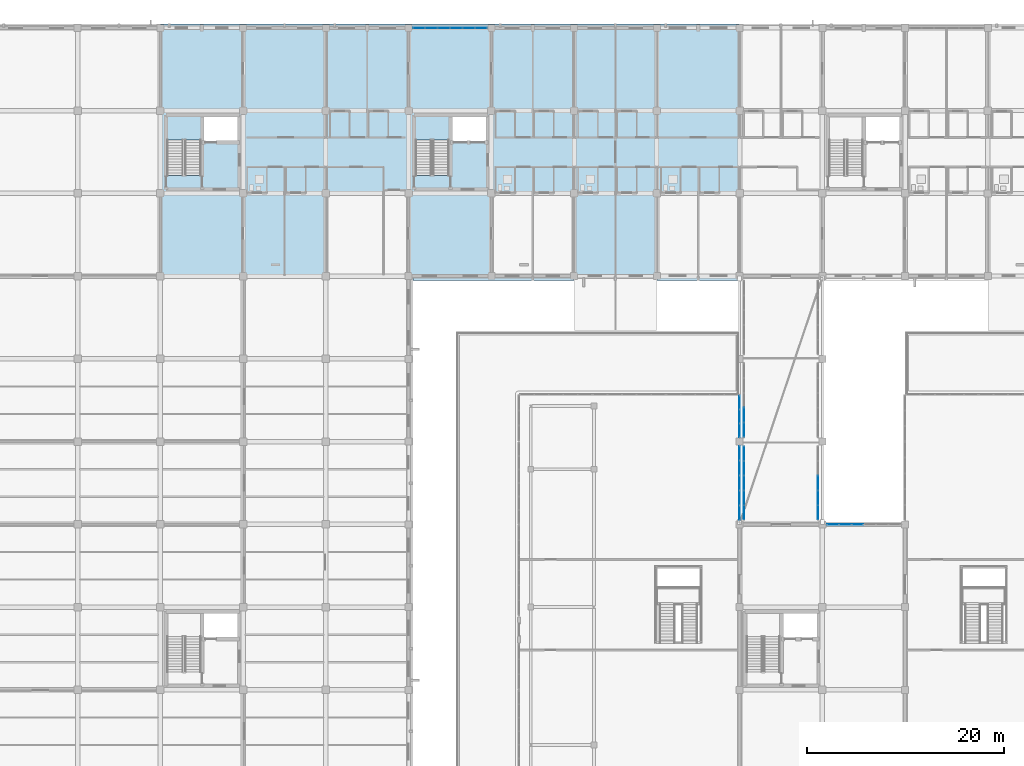
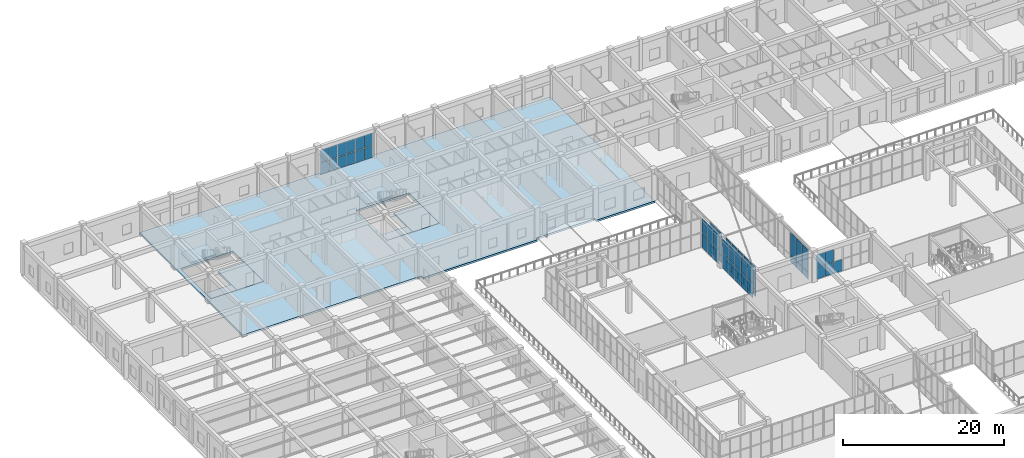
# One storey, part 107 of 158: 53 plates, 7 slabs, 9 elements without a shape of their own.
"""IFC4 building model written with IfcOpenShell, lengths in metres."""

from ifc_helpers import new_model, si_unit, direction, frame, origin, origin_2d, place, context, subcontext, project, spatial, polyline, rectangle, outline, extrude, material, layer, layer_set, type_object, element, aggregate, save


model = new_model("IFC4")

# Units and contexts
model_context = context("Model", 3, precision=1e-05, world=origin(), true_north=direction((0.0, 1.0)))
body_context = subcontext(model_context, "Body", "Model", "MODEL_VIEW")
ifc_project = project(units=[si_unit("LENGTHUNIT", "METRE"), si_unit("AREAUNIT", "SQUARE_METRE"), si_unit("VOLUMEUNIT", "CUBIC_METRE"), si_unit("PLANEANGLEUNIT", "RADIAN"), si_unit("MASSUNIT", "GRAM", prefix="KILO")], contexts=[model_context])

# Site, building, storey
site_placement = place(None, origin())
site = spatial("IfcSite", under=ifc_project, at=site_placement, CompositionType="ELEMENT")
building_placement = place(site_placement, origin())
building = spatial("IfcBuilding", under=site, at=building_placement, Name="Trelvath General Hospital", CompositionType="ELEMENT")
storey_placement = place(building_placement, frame((0.0, 0.0, 8.10009765625)))
storey = spatial("IfcBuildingStorey", under=building, at=storey_placement, Name="L02", CompositionType="ELEMENT", Elevation=8.10009765625)

# Curtain wall, plates
ifc_material_1 = material(Name="Anodised aluminium and low-E glass", Category="aluminium")
ifc_layer_1 = layer(ifc_material_1, 0.159912109375)
ifc_layer_set_1 = layer_set([ifc_layer_1], Name="Anodised aluminium and low-E glass")
curtain_wall_type_1 = type_object("IfcCurtainWallType", Name="CW Facade 757 386 16", PredefinedType="USERDEFINED", material=ifc_layer_set_1)
curtain_wall_1_placement = place(storey_placement, origin())
curtain_wall_1 = element("IfcCurtainWall", 1, at=curtain_wall_1_placement, inside=storey, type_object=curtain_wall_type_1, Name="Facade Curtain Wall CW-041", ObjectType="Unitised Glazed Curtain Wall", PredefinedType="USERDEFINED")
ifc_material_2 = material(Name="Low-E laminated glass", Category="glass")
ifc_layer_2 = layer(ifc_material_2, 0.028076171875)
ifc_layer_set_2 = layer_set([ifc_layer_2], Name="Low-E laminated glass")
plate_type_1 = type_object("IfcPlateType", Name="CurtainPanel Glass28", PredefinedType="CURTAIN_PANEL", material=ifc_layer_set_2)
plate_1_placement = place(storey_placement, frame((43.060791015625, 117.60009765625, 0.06005859375), z_axis=(0.0, 0.0, 1.0), x_axis=(1.0, 0.0, 0.0)))
plate_1 = element("IfcPlate", 2, at=plate_1_placement, type_object=plate_type_1, Name="CW-041 panel 1.1", PredefinedType="CURTAIN_PANEL", context=body_context, shape_type="SweptSolid", body=[
    extrude(rectangle(XDim=1.171630859375, YDim=0.028076171875, at=origin_2d()), origin(), (0.0, 0.0, 1.0), 1.762939453125),
])
plate_2_placement = place(storey_placement, frame((43.060791015625, 117.60009765625, 1.8828125), z_axis=(0.0, 0.0, 1.0), x_axis=(1.0, 0.0, 0.0)))
plate_2 = element("IfcPlate", 3, at=plate_2_placement, type_object=plate_type_1, Name="CW-041 panel 1.2", PredefinedType="CURTAIN_PANEL", context=body_context, shape_type="SweptSolid", body=[
    extrude(rectangle(XDim=1.171630859375, YDim=0.028076171875, at=origin_2d()), origin(), (0.0, 0.0, 1.0), 1.9169921875),
])
plate_3_placement = place(storey_placement, frame((44.3076171875, 117.60009765625, 0.06005859375), z_axis=(0.0, 0.0, 1.0), x_axis=(1.0, 0.0, 0.0)))
plate_3 = element("IfcPlate", 4, at=plate_3_placement, type_object=plate_type_1, Name="CW-041 panel 2.1", PredefinedType="CURTAIN_PANEL", context=body_context, shape_type="SweptSolid", body=[
    extrude(rectangle(XDim=1.20166015625, YDim=0.028076171875, at=origin_2d()), origin(), (0.0, 0.0, 1.0), 1.762939453125),
])
plate_4_placement = place(storey_placement, frame((44.3076171875, 117.60009765625, 1.8828125), z_axis=(0.0, 0.0, 1.0), x_axis=(1.0, 0.0, 0.0)))
plate_4 = element("IfcPlate", 5, at=plate_4_placement, type_object=plate_type_1, Name="CW-041 panel 2.2", PredefinedType="CURTAIN_PANEL", context=body_context, shape_type="SweptSolid", body=[
    extrude(rectangle(XDim=1.20166015625, YDim=0.028076171875, at=origin_2d()), origin(), (0.0, 0.0, 1.0), 1.9169921875),
])
plate_5_placement = place(storey_placement, frame((45.569091796875, 117.60009765625, 0.06005859375), z_axis=(0.0, 0.0, 1.0), x_axis=(1.0, 0.0, 0.0)))
plate_5 = element("IfcPlate", 6, at=plate_5_placement, type_object=plate_type_1, Name="CW-041 panel 3.1", PredefinedType="CURTAIN_PANEL", context=body_context, shape_type="SweptSolid", body=[
    extrude(rectangle(XDim=1.20166015625, YDim=0.028076171875, at=origin_2d()), origin(), (0.0, 0.0, 1.0), 1.762939453125),
])
plate_6_placement = place(storey_placement, frame((45.569091796875, 117.60009765625, 1.8828125), z_axis=(0.0, 0.0, 1.0), x_axis=(1.0, 0.0, 0.0)))
plate_6 = element("IfcPlate", 7, at=plate_6_placement, type_object=plate_type_1, Name="CW-041 panel 3.2", PredefinedType="CURTAIN_PANEL", context=body_context, shape_type="SweptSolid", body=[
    extrude(rectangle(XDim=1.20166015625, YDim=0.028076171875, at=origin_2d()), origin(), (0.0, 0.0, 1.0), 1.9169921875),
])
plate_7_placement = place(storey_placement, frame((46.830810546875, 117.60009765625, 0.06005859375), z_axis=(0.0, 0.0, 1.0), x_axis=(1.0, 0.0, 0.0)))
plate_7 = element("IfcPlate", 8, at=plate_7_placement, type_object=plate_type_1, Name="CW-041 panel 4.1", PredefinedType="CURTAIN_PANEL", context=body_context, shape_type="SweptSolid", body=[
    extrude(rectangle(XDim=1.20166015625, YDim=0.028076171875, at=origin_2d()), origin(), (0.0, 0.0, 1.0), 1.762939453125),
])
plate_8_placement = place(storey_placement, frame((46.830810546875, 117.60009765625, 1.8828125), z_axis=(0.0, 0.0, 1.0), x_axis=(1.0, 0.0, 0.0)))
plate_8 = element("IfcPlate", 9, at=plate_8_placement, type_object=plate_type_1, Name="CW-041 panel 4.2", PredefinedType="CURTAIN_PANEL", context=body_context, shape_type="SweptSolid", body=[
    extrude(rectangle(XDim=1.20166015625, YDim=0.028076171875, at=origin_2d()), origin(), (0.0, 0.0, 1.0), 1.9169921875),
])
plate_9_placement = place(storey_placement, frame((48.092529296875, 117.60009765625, 0.06005859375), z_axis=(0.0, 0.0, 1.0), x_axis=(1.0, 0.0, 0.0)))
plate_9 = element("IfcPlate", 10, at=plate_9_placement, type_object=plate_type_1, Name="CW-041 panel 5.1", PredefinedType="CURTAIN_PANEL", context=body_context, shape_type="SweptSolid", body=[
    extrude(rectangle(XDim=1.20166015625, YDim=0.028076171875, at=origin_2d()), origin(), (0.0, 0.0, 1.0), 1.762939453125),
])
plate_10_placement = place(storey_placement, frame((48.092529296875, 117.60009765625, 1.8828125), z_axis=(0.0, 0.0, 1.0), x_axis=(1.0, 0.0, 0.0)))
plate_10 = element("IfcPlate", 11, at=plate_10_placement, type_object=plate_type_1, Name="CW-041 panel 5.2", PredefinedType="CURTAIN_PANEL", context=body_context, shape_type="SweptSolid", body=[
    extrude(rectangle(XDim=1.20166015625, YDim=0.028076171875, at=origin_2d()), origin(), (0.0, 0.0, 1.0), 1.9169921875),
])
plate_11_placement = place(storey_placement, frame((49.339111328125, 117.60009765625, 0.06005859375), z_axis=(0.0, 0.0, 1.0), x_axis=(1.0, 0.0, 0.0)))
plate_11 = element("IfcPlate", 12, at=plate_11_placement, type_object=plate_type_1, Name="CW-041 panel 6.1", PredefinedType="CURTAIN_PANEL", context=body_context, shape_type="SweptSolid", body=[
    extrude(rectangle(XDim=1.171630859375, YDim=0.028076171875, at=origin_2d()), origin(), (0.0, 0.0, 1.0), 1.762939453125),
])
plate_12_placement = place(storey_placement, frame((49.339111328125, 117.60009765625, 1.8828125), z_axis=(0.0, 0.0, 1.0), x_axis=(1.0, 0.0, 0.0)))
plate_12 = element("IfcPlate", 13, at=plate_12_placement, type_object=plate_type_1, Name="CW-041 panel 6.2", PredefinedType="CURTAIN_PANEL", context=body_context, shape_type="SweptSolid", body=[
    extrude(rectangle(XDim=1.171630859375, YDim=0.028076171875, at=origin_2d()), origin(), (0.0, 0.0, 1.0), 1.9169921875),
])
aggregate(curtain_wall_1, [plate_1, plate_2, plate_3, plate_4, plate_5, plate_6, plate_7, plate_8, plate_9, plate_10, plate_11, plate_12])

ifc_material_3 = material(Name="Anodised aluminium and low-E glass", Category="aluminium")
ifc_layer_3 = layer(ifc_material_3, 0.139892578125)
ifc_layer_set_3 = layer_set([ifc_layer_3], Name="Anodised aluminium and low-E glass")
curtain_wall_type_2 = type_object("IfcCurtainWallType", Name="CW CrystalCube 762 456 14", PredefinedType="USERDEFINED", material=ifc_layer_set_3)
curtain_wall_2_placement = place(storey_placement, origin())
curtain_wall_2 = element("IfcCurtainWall", 14, at=curtain_wall_2_placement, inside=storey, type_object=curtain_wall_type_2, Name="Crystal Cube Curtain Wall CUBE-W-T1 E6 L02", ObjectType="Unitised Glazed Curtain Wall", PredefinedType="USERDEFINED")
plate_13_placement = place(storey_placement, frame((75.60009765625, 74.43310546875, 0.059814453125), z_axis=(0.0, 0.0, 1.0), x_axis=(0.0, -1.0, 0.0)))
plate_13 = element("IfcPlate", 15, at=plate_13_placement, type_object=plate_type_1, Name="CW-202 panel 1.1", PredefinedType="CURTAIN_PANEL", context=body_context, shape_type="SweptSolid", body=[
    extrude(rectangle(XDim=1.43408203125, YDim=0.028076171875, at=origin_2d()), origin(), (0.0, 0.0, 1.0), 2.18994140625),
])
plate_14_placement = place(storey_placement, frame((75.60009765625, 74.43310546875, 2.309814453125), z_axis=(0.0, 0.0, 1.0), x_axis=(0.0, -1.0, 0.0)))
plate_14 = element("IfcPlate", 16, at=plate_14_placement, type_object=plate_type_1, Name="CW-202 panel 1.2", PredefinedType="CURTAIN_PANEL", context=body_context, shape_type="SweptSolid", body=[
    extrude(rectangle(XDim=1.43408203125, YDim=0.028076171875, at=origin_2d()), origin(), (0.0, 0.0, 1.0), 2.18994140625),
])
plate_15_placement = place(storey_placement, frame((75.60009765625, 72.924072265625, 0.059814453125), z_axis=(0.0, 0.0, 1.0), x_axis=(0.0, -1.0, 0.0)))
plate_15 = element("IfcPlate", 17, at=plate_15_placement, type_object=plate_type_1, Name="CW-202 panel 2.1", PredefinedType="CURTAIN_PANEL", context=body_context, shape_type="SweptSolid", body=[
    extrude(rectangle(XDim=1.464111328125, YDim=0.028076171875, at=origin_2d()), origin(), (0.0, 0.0, 1.0), 2.18994140625),
])
plate_16_placement = place(storey_placement, frame((75.60009765625, 72.924072265625, 2.309814453125), z_axis=(0.0, 0.0, 1.0), x_axis=(0.0, -1.0, 0.0)))
plate_16 = element("IfcPlate", 18, at=plate_16_placement, type_object=plate_type_1, Name="CW-202 panel 2.2", PredefinedType="CURTAIN_PANEL", context=body_context, shape_type="SweptSolid", body=[
    extrude(rectangle(XDim=1.464111328125, YDim=0.028076171875, at=origin_2d()), origin(), (0.0, 0.0, 1.0), 2.18994140625),
])
plate_17_placement = place(storey_placement, frame((75.60009765625, 71.39990234375, 0.059814453125), z_axis=(0.0, 0.0, 1.0), x_axis=(0.0, -1.0, 0.0)))
plate_17 = element("IfcPlate", 19, at=plate_17_placement, type_object=plate_type_1, Name="CW-202 panel 3.1", PredefinedType="CURTAIN_PANEL", context=body_context, shape_type="SweptSolid", body=[
    extrude(rectangle(XDim=1.464111328125, YDim=0.028076171875, at=origin_2d()), origin(), (0.0, 0.0, 1.0), 2.18994140625),
])
plate_18_placement = place(storey_placement, frame((75.60009765625, 71.39990234375, 2.309814453125), z_axis=(0.0, 0.0, 1.0), x_axis=(0.0, -1.0, 0.0)))
plate_18 = element("IfcPlate", 20, at=plate_18_placement, type_object=plate_type_1, Name="CW-202 panel 3.2", PredefinedType="CURTAIN_PANEL", context=body_context, shape_type="SweptSolid", body=[
    extrude(rectangle(XDim=1.464111328125, YDim=0.028076171875, at=origin_2d()), origin(), (0.0, 0.0, 1.0), 2.18994140625),
])
plate_19_placement = place(storey_placement, frame((75.60009765625, 69.8759765625, 0.059814453125), z_axis=(0.0, 0.0, 1.0), x_axis=(0.0, -1.0, 0.0)))
plate_19 = element("IfcPlate", 21, at=plate_19_placement, type_object=plate_type_1, Name="CW-202 panel 4.1", PredefinedType="CURTAIN_PANEL", context=body_context, shape_type="SweptSolid", body=[
    extrude(rectangle(XDim=1.464111328125, YDim=0.028076171875, at=origin_2d()), origin(), (0.0, 0.0, 1.0), 2.18994140625),
])
plate_20_placement = place(storey_placement, frame((75.60009765625, 69.8759765625, 2.309814453125), z_axis=(0.0, 0.0, 1.0), x_axis=(0.0, -1.0, 0.0)))
plate_20 = element("IfcPlate", 22, at=plate_20_placement, type_object=plate_type_1, Name="CW-202 panel 4.2", PredefinedType="CURTAIN_PANEL", context=body_context, shape_type="SweptSolid", body=[
    extrude(rectangle(XDim=1.464111328125, YDim=0.028076171875, at=origin_2d()), origin(), (0.0, 0.0, 1.0), 2.18994140625),
])
plate_21_placement = place(storey_placement, frame((75.60009765625, 68.366943359375, 0.059814453125), z_axis=(0.0, 0.0, 1.0), x_axis=(0.0, -1.0, 0.0)))
plate_21 = element("IfcPlate", 23, at=plate_21_placement, type_object=plate_type_1, Name="CW-202 panel 5.1", PredefinedType="CURTAIN_PANEL", context=body_context, shape_type="SweptSolid", body=[
    extrude(rectangle(XDim=1.43408203125, YDim=0.028076171875, at=origin_2d()), origin(), (0.0, 0.0, 1.0), 2.18994140625),
])
plate_22_placement = place(storey_placement, frame((75.60009765625, 68.366943359375, 2.309814453125), z_axis=(0.0, 0.0, 1.0), x_axis=(0.0, -1.0, 0.0)))
plate_22 = element("IfcPlate", 24, at=plate_22_placement, type_object=plate_type_1, Name="CW-202 panel 5.2", PredefinedType="CURTAIN_PANEL", context=body_context, shape_type="SweptSolid", body=[
    extrude(rectangle(XDim=1.43408203125, YDim=0.028076171875, at=origin_2d()), origin(), (0.0, 0.0, 1.0), 2.18994140625),
])
aggregate(curtain_wall_2, [plate_13, plate_14, plate_15, plate_16, plate_17, plate_18, plate_19, plate_20, plate_21, plate_22])

ifc_material_4 = material(Name="Anodised aluminium and low-E glass", Category="aluminium")
ifc_layer_4 = layer(ifc_material_4, 0.139892578125)
ifc_layer_set_4 = layer_set([ifc_layer_4], Name="Anodised aluminium and low-E glass")
curtain_wall_type_3 = type_object("IfcCurtainWallType", Name="CW CrystalCube 433 456 14", PredefinedType="USERDEFINED", material=ifc_layer_set_4)
curtain_wall_3_placement = place(storey_placement, origin())
curtain_wall_3 = element("IfcCurtainWall", 25, at=curtain_wall_3_placement, inside=storey, type_object=curtain_wall_type_3, Name="Crystal Cube Curtain Wall CUBE-W-T1 E7 L02", ObjectType="Unitised Glazed Curtain Wall", PredefinedType="USERDEFINED")
plate_23_placement = place(storey_placement, frame((75.60009765625, 79.583251953125, 0.059814453125), z_axis=(0.0, 0.0, 1.0), x_axis=(0.0, -1.0, 0.0)))
plate_23 = element("IfcPlate", 26, at=plate_23_placement, type_object=plate_type_1, Name="CW-204 panel 1.1", PredefinedType="CURTAIN_PANEL", context=body_context, shape_type="SweptSolid", body=[
    extrude(rectangle(XDim=1.353271484375, YDim=0.028076171875, at=origin_2d()), origin(), (0.0, 0.0, 1.0), 2.18994140625),
])
plate_24_placement = place(storey_placement, frame((75.60009765625, 79.583251953125, 2.309814453125), z_axis=(0.0, 0.0, 1.0), x_axis=(0.0, -1.0, 0.0)))
plate_24 = element("IfcPlate", 27, at=plate_24_placement, type_object=plate_type_1, Name="CW-204 panel 1.2", PredefinedType="CURTAIN_PANEL", context=body_context, shape_type="SweptSolid", body=[
    extrude(rectangle(XDim=1.353271484375, YDim=0.028076171875, at=origin_2d()), origin(), (0.0, 0.0, 1.0), 2.18994140625),
])
plate_25_placement = place(storey_placement, frame((75.60009765625, 78.155029296875, 0.059814453125), z_axis=(0.0, 0.0, 1.0), x_axis=(0.0, -1.0, 0.0)))
plate_25 = element("IfcPlate", 28, at=plate_25_placement, type_object=plate_type_1, Name="CW-204 panel 2.1", PredefinedType="CURTAIN_PANEL", context=body_context, shape_type="SweptSolid", body=[
    extrude(rectangle(XDim=1.38330078125, YDim=0.028076171875, at=origin_2d()), origin(), (0.0, 0.0, 1.0), 2.18994140625),
])
plate_26_placement = place(storey_placement, frame((75.60009765625, 78.155029296875, 2.309814453125), z_axis=(0.0, 0.0, 1.0), x_axis=(0.0, -1.0, 0.0)))
plate_26 = element("IfcPlate", 29, at=plate_26_placement, type_object=plate_type_1, Name="CW-204 panel 2.2", PredefinedType="CURTAIN_PANEL", context=body_context, shape_type="SweptSolid", body=[
    extrude(rectangle(XDim=1.38330078125, YDim=0.028076171875, at=origin_2d()), origin(), (0.0, 0.0, 1.0), 2.18994140625),
])
plate_27_placement = place(storey_placement, frame((75.60009765625, 76.7265625, 0.059814453125), z_axis=(0.0, 0.0, 1.0), x_axis=(0.0, -1.0, 0.0)))
plate_27 = element("IfcPlate", 30, at=plate_27_placement, type_object=plate_type_1, Name="CW-204 panel 3.1", PredefinedType="CURTAIN_PANEL", context=body_context, shape_type="SweptSolid", body=[
    extrude(rectangle(XDim=1.353271484375, YDim=0.028076171875, at=origin_2d()), origin(), (0.0, 0.0, 1.0), 2.18994140625),
])
plate_28_placement = place(storey_placement, frame((75.60009765625, 76.7265625, 2.309814453125), z_axis=(0.0, 0.0, 1.0), x_axis=(0.0, -1.0, 0.0)))
plate_28 = element("IfcPlate", 31, at=plate_28_placement, type_object=plate_type_1, Name="CW-204 panel 3.2", PredefinedType="CURTAIN_PANEL", context=body_context, shape_type="SweptSolid", body=[
    extrude(rectangle(XDim=1.353271484375, YDim=0.028076171875, at=origin_2d()), origin(), (0.0, 0.0, 1.0), 2.18994140625),
])
aggregate(curtain_wall_3, [plate_23, plate_24, plate_25, plate_26, plate_27, plate_28])

ifc_material_5 = material(Name="Anodised aluminium and low-E glass", Category="aluminium")
ifc_layer_5 = layer(ifc_material_5, 0.139892578125)
ifc_layer_set_5 = layer_set([ifc_layer_5], Name="Anodised aluminium and low-E glass")
curtain_wall_type_4 = type_object("IfcCurtainWallType", Name="CW Bridge 752 461", PredefinedType="USERDEFINED", material=ifc_layer_set_5)
curtain_wall_4_placement = place(storey_placement, origin())
curtain_wall_4 = element("IfcCurtainWall", 32, at=curtain_wall_4_placement, inside=storey, type_object=curtain_wall_type_4, Name="Glazed Bridge Curtain Wall BRG-N-C W L02", ObjectType="Unitised Glazed Curtain Wall", PredefinedType="USERDEFINED")
plate_29_placement = place(storey_placement, frame((76.0400390625, 68.406982421875, 0.06005859375), z_axis=(0.0, 0.0, 1.0), x_axis=(0.0, 1.0, 0.0)))
plate_29 = element("IfcPlate", 33, at=plate_29_placement, type_object=plate_type_1, Name="CW-220 panel 1.1", PredefinedType="CURTAIN_PANEL", context=body_context, shape_type="SweptSolid", body=[
    extrude(rectangle(XDim=1.4140625, YDim=0.028076171875, at=origin_2d()), origin(), (0.0, 0.0, 1.0), 1.010009765625),
])
plate_30_placement = place(storey_placement, frame((76.0400390625, 68.406982421875, 1.1298828125), z_axis=(0.0, 0.0, 1.0), x_axis=(0.0, 1.0, 0.0)))
plate_30 = element("IfcPlate", 34, at=plate_30_placement, type_object=plate_type_1, Name="CW-220 panel 1.2", PredefinedType="CURTAIN_PANEL", context=body_context, shape_type="SweptSolid", body=[
    extrude(rectangle(XDim=1.4140625, YDim=0.028076171875, at=origin_2d()), origin(), (0.0, 0.0, 1.0), 3.419921875),
])
plate_31_placement = place(storey_placement, frame((76.0400390625, 69.89599609375, 0.06005859375), z_axis=(0.0, 0.0, 1.0), x_axis=(0.0, 1.0, 0.0)))
plate_31 = element("IfcPlate", 35, at=plate_31_placement, type_object=plate_type_1, Name="CW-220 panel 2.1", PredefinedType="CURTAIN_PANEL", context=body_context, shape_type="SweptSolid", body=[
    extrude(rectangle(XDim=1.444091796875, YDim=0.028076171875, at=origin_2d()), origin(), (0.0, 0.0, 1.0), 1.010009765625),
])
plate_32_placement = place(storey_placement, frame((76.0400390625, 69.89599609375, 1.1298828125), z_axis=(0.0, 0.0, 1.0), x_axis=(0.0, 1.0, 0.0)))
plate_32 = element("IfcPlate", 36, at=plate_32_placement, type_object=plate_type_1, Name="CW-220 panel 2.2", PredefinedType="CURTAIN_PANEL", context=body_context, shape_type="SweptSolid", body=[
    extrude(rectangle(XDim=1.444091796875, YDim=0.028076171875, at=origin_2d()), origin(), (0.0, 0.0, 1.0), 3.419921875),
])
plate_33_placement = place(storey_placement, frame((76.0400390625, 71.39990234375, 0.06005859375), z_axis=(0.0, 0.0, 1.0), x_axis=(0.0, 1.0, 0.0)))
plate_33 = element("IfcPlate", 37, at=plate_33_placement, type_object=plate_type_1, Name="CW-220 panel 3.1", PredefinedType="CURTAIN_PANEL", context=body_context, shape_type="SweptSolid", body=[
    extrude(rectangle(XDim=1.444091796875, YDim=0.028076171875, at=origin_2d()), origin(), (0.0, 0.0, 1.0), 1.010009765625),
])
plate_34_placement = place(storey_placement, frame((76.0400390625, 71.39990234375, 1.1298828125), z_axis=(0.0, 0.0, 1.0), x_axis=(0.0, 1.0, 0.0)))
plate_34 = element("IfcPlate", 38, at=plate_34_placement, type_object=plate_type_1, Name="CW-220 panel 3.2", PredefinedType="CURTAIN_PANEL", context=body_context, shape_type="SweptSolid", body=[
    extrude(rectangle(XDim=1.444091796875, YDim=0.028076171875, at=origin_2d()), origin(), (0.0, 0.0, 1.0), 3.419921875),
])
plate_35_placement = place(storey_placement, frame((76.0400390625, 72.904052734375, 0.06005859375), z_axis=(0.0, 0.0, 1.0), x_axis=(0.0, 1.0, 0.0)))
plate_35 = element("IfcPlate", 39, at=plate_35_placement, type_object=plate_type_1, Name="CW-220 panel 4.1", PredefinedType="CURTAIN_PANEL", context=body_context, shape_type="SweptSolid", body=[
    extrude(rectangle(XDim=1.444091796875, YDim=0.028076171875, at=origin_2d()), origin(), (0.0, 0.0, 1.0), 1.010009765625),
])
plate_36_placement = place(storey_placement, frame((76.0400390625, 72.904052734375, 1.1298828125), z_axis=(0.0, 0.0, 1.0), x_axis=(0.0, 1.0, 0.0)))
plate_36 = element("IfcPlate", 40, at=plate_36_placement, type_object=plate_type_1, Name="CW-220 panel 4.2", PredefinedType="CURTAIN_PANEL", context=body_context, shape_type="SweptSolid", body=[
    extrude(rectangle(XDim=1.444091796875, YDim=0.028076171875, at=origin_2d()), origin(), (0.0, 0.0, 1.0), 3.419921875),
])
plate_37_placement = place(storey_placement, frame((76.0400390625, 74.39306640625, 0.06005859375), z_axis=(0.0, 0.0, 1.0), x_axis=(0.0, 1.0, 0.0)))
plate_37 = element("IfcPlate", 41, at=plate_37_placement, type_object=plate_type_1, Name="CW-220 panel 5.1", PredefinedType="CURTAIN_PANEL", context=body_context, shape_type="SweptSolid", body=[
    extrude(rectangle(XDim=1.4140625, YDim=0.028076171875, at=origin_2d()), origin(), (0.0, 0.0, 1.0), 1.010009765625),
])
plate_38_placement = place(storey_placement, frame((76.0400390625, 74.39306640625, 1.1298828125), z_axis=(0.0, 0.0, 1.0), x_axis=(0.0, 1.0, 0.0)))
plate_38 = element("IfcPlate", 42, at=plate_38_placement, type_object=plate_type_1, Name="CW-220 panel 5.2", PredefinedType="CURTAIN_PANEL", context=body_context, shape_type="SweptSolid", body=[
    extrude(rectangle(XDim=1.4140625, YDim=0.028076171875, at=origin_2d()), origin(), (0.0, 0.0, 1.0), 3.419921875),
])
aggregate(curtain_wall_4, [plate_29, plate_30, plate_31, plate_32, plate_33, plate_34, plate_35, plate_36, plate_37, plate_38])

curtain_wall_5_placement = place(storey_placement, origin())
curtain_wall_5 = element("IfcCurtainWall", 43, at=curtain_wall_5_placement, inside=storey, type_object=curtain_wall_type_4, Name="Glazed Bridge Curtain Wall BRG-N-C E L02", ObjectType="Unitised Glazed Curtain Wall", PredefinedType="USERDEFINED")
plate_39_placement = place(storey_placement, frame((83.56005859375, 71.39990234375, 0.06005859375), z_axis=(0.0, 0.0, 1.0), x_axis=(0.0, -1.0, 0.0)))
plate_39 = element("IfcPlate", 44, at=plate_39_placement, type_object=plate_type_1, Name="CW-221 panel 3.1", PredefinedType="CURTAIN_PANEL", context=body_context, shape_type="SweptSolid", body=[
    extrude(rectangle(XDim=1.444091796875, YDim=0.028076171875, at=origin_2d()), origin(), (0.0, 0.0, 1.0), 1.010009765625),
])
plate_40_placement = place(storey_placement, frame((83.56005859375, 71.39990234375, 1.1298828125), z_axis=(0.0, 0.0, 1.0), x_axis=(0.0, -1.0, 0.0)))
plate_40 = element("IfcPlate", 45, at=plate_40_placement, type_object=plate_type_1, Name="CW-221 panel 3.2", PredefinedType="CURTAIN_PANEL", context=body_context, shape_type="SweptSolid", body=[
    extrude(rectangle(XDim=1.444091796875, YDim=0.028076171875, at=origin_2d()), origin(), (0.0, 0.0, 1.0), 3.419921875),
])
plate_41_placement = place(storey_placement, frame((83.56005859375, 69.89599609375, 0.06005859375), z_axis=(0.0, 0.0, 1.0), x_axis=(0.0, -1.0, 0.0)))
plate_41 = element("IfcPlate", 46, at=plate_41_placement, type_object=plate_type_1, Name="CW-221 panel 4.1", PredefinedType="CURTAIN_PANEL", context=body_context, shape_type="SweptSolid", body=[
    extrude(rectangle(XDim=1.444091796875, YDim=0.028076171875, at=origin_2d()), origin(), (0.0, 0.0, 1.0), 1.010009765625),
])
plate_42_placement = place(storey_placement, frame((83.56005859375, 69.89599609375, 1.1298828125), z_axis=(0.0, 0.0, 1.0), x_axis=(0.0, -1.0, 0.0)))
plate_42 = element("IfcPlate", 47, at=plate_42_placement, type_object=plate_type_1, Name="CW-221 panel 4.2", PredefinedType="CURTAIN_PANEL", context=body_context, shape_type="SweptSolid", body=[
    extrude(rectangle(XDim=1.444091796875, YDim=0.028076171875, at=origin_2d()), origin(), (0.0, 0.0, 1.0), 3.419921875),
])
plate_43_placement = place(storey_placement, frame((83.56005859375, 68.406982421875, 0.06005859375), z_axis=(0.0, 0.0, 1.0), x_axis=(0.0, -1.0, 0.0)))
plate_43 = element("IfcPlate", 48, at=plate_43_placement, type_object=plate_type_1, Name="CW-221 panel 5.1", PredefinedType="CURTAIN_PANEL", context=body_context, shape_type="SweptSolid", body=[
    extrude(rectangle(XDim=1.4140625, YDim=0.028076171875, at=origin_2d()), origin(), (0.0, 0.0, 1.0), 1.010009765625),
])
plate_44_placement = place(storey_placement, frame((83.56005859375, 68.406982421875, 1.1298828125), z_axis=(0.0, 0.0, 1.0), x_axis=(0.0, -1.0, 0.0)))
plate_44 = element("IfcPlate", 49, at=plate_44_placement, type_object=plate_type_1, Name="CW-221 panel 5.2", PredefinedType="CURTAIN_PANEL", context=body_context, shape_type="SweptSolid", body=[
    extrude(rectangle(XDim=1.4140625, YDim=0.028076171875, at=origin_2d()), origin(), (0.0, 0.0, 1.0), 3.419921875),
])
aggregate(curtain_wall_5, [plate_39, plate_40, plate_41, plate_42, plate_43, plate_44])

curtain_wall_6_placement = place(storey_placement, origin())
curtain_wall_6 = element("IfcCurtainWall", 50, at=curtain_wall_6_placement, inside=storey, type_object=curtain_wall_type_4, Name="Glazed Bridge Curtain Wall BRG-N-C W L02", ObjectType="Unitised Glazed Curtain Wall", PredefinedType="USERDEFINED")
plate_45_placement = place(storey_placement, frame((76.0400390625, 76.806884765625, 0.06005859375), z_axis=(0.0, 0.0, 1.0), x_axis=(0.0, 1.0, 0.0)))
plate_45 = element("IfcPlate", 51, at=plate_45_placement, type_object=plate_type_1, Name="CW-222 panel 1.1", PredefinedType="CURTAIN_PANEL", context=body_context, shape_type="SweptSolid", body=[
    extrude(rectangle(XDim=1.4140625, YDim=0.028076171875, at=origin_2d()), origin(), (0.0, 0.0, 1.0), 1.010009765625),
])
plate_46_placement = place(storey_placement, frame((76.0400390625, 76.806884765625, 1.1298828125), z_axis=(0.0, 0.0, 1.0), x_axis=(0.0, 1.0, 0.0)))
plate_46 = element("IfcPlate", 52, at=plate_46_placement, type_object=plate_type_1, Name="CW-222 panel 1.2", PredefinedType="CURTAIN_PANEL", context=body_context, shape_type="SweptSolid", body=[
    extrude(rectangle(XDim=1.4140625, YDim=0.028076171875, at=origin_2d()), origin(), (0.0, 0.0, 1.0), 3.419921875),
])
plate_47_placement = place(storey_placement, frame((76.0400390625, 78.2958984375, 0.06005859375), z_axis=(0.0, 0.0, 1.0), x_axis=(0.0, 1.0, 0.0)))
plate_47 = element("IfcPlate", 53, at=plate_47_placement, type_object=plate_type_1, Name="CW-222 panel 2.1", PredefinedType="CURTAIN_PANEL", context=body_context, shape_type="SweptSolid", body=[
    extrude(rectangle(XDim=1.444091796875, YDim=0.028076171875, at=origin_2d()), origin(), (0.0, 0.0, 1.0), 1.010009765625),
])
plate_48_placement = place(storey_placement, frame((76.0400390625, 78.2958984375, 1.1298828125), z_axis=(0.0, 0.0, 1.0), x_axis=(0.0, 1.0, 0.0)))
plate_48 = element("IfcPlate", 54, at=plate_48_placement, type_object=plate_type_1, Name="CW-222 panel 2.2", PredefinedType="CURTAIN_PANEL", context=body_context, shape_type="SweptSolid", body=[
    extrude(rectangle(XDim=1.444091796875, YDim=0.028076171875, at=origin_2d()), origin(), (0.0, 0.0, 1.0), 3.419921875),
])
aggregate(curtain_wall_6, [plate_45, plate_46, plate_47, plate_48])

curtain_wall_7_placement = place(storey_placement, origin())
curtain_wall_7 = element("IfcCurtainWall", 55, at=curtain_wall_7_placement, inside=storey, type_object=curtain_wall_type_1, Name="Facade Curtain Wall CW-043", ObjectType="Unitised Glazed Curtain Wall", PredefinedType="USERDEFINED")
ifc_material_6 = material(Name="Low-E laminated glass", Category="glass")
ifc_layer_6 = layer(ifc_material_6, 0.035888671875)
ifc_layer_set_6 = layer_set([ifc_layer_6], Name="Low-E laminated glass")
plate_type_2 = type_object("IfcPlateType", Name="CurtainPanel Glass36", PredefinedType="CURTAIN_PANEL", material=ifc_layer_set_6)
plate_49_placement = place(storey_placement, frame((85.060791015625, 67.199951171875, 0.06005859375), z_axis=(0.0, 0.0, 1.0), x_axis=(1.0, 0.0, 0.0)))
plate_49 = element("IfcPlate", 56, at=plate_49_placement, type_object=plate_type_2, Name="CW-043 panel 1.1", PredefinedType="CURTAIN_PANEL", context=body_context, shape_type="SweptSolid", body=[
    extrude(rectangle(XDim=1.171630859375, YDim=0.035888671875, at=origin_2d()), origin(), (0.0, 0.0, 1.0), 1.762939453125),
])
plate_50_placement = place(storey_placement, frame((85.060791015625, 67.199951171875, 1.8828125), z_axis=(0.0, 0.0, 1.0), x_axis=(1.0, 0.0, 0.0)))
plate_50 = element("IfcPlate", 57, at=plate_50_placement, type_object=plate_type_2, Name="CW-043 panel 1.2", PredefinedType="CURTAIN_PANEL", context=body_context, shape_type="SweptSolid", body=[
    extrude(rectangle(XDim=1.171630859375, YDim=0.035888671875, at=origin_2d()), origin(), (0.0, 0.0, 1.0), 1.9169921875),
])
plate_51_placement = place(storey_placement, frame((86.3076171875, 67.199951171875, 0.06005859375), z_axis=(0.0, 0.0, 1.0), x_axis=(1.0, 0.0, 0.0)))
plate_51 = element("IfcPlate", 58, at=plate_51_placement, type_object=plate_type_2, Name="CW-043 panel 2.1", PredefinedType="CURTAIN_PANEL", context=body_context, shape_type="SweptSolid", body=[
    extrude(rectangle(XDim=1.20166015625, YDim=0.035888671875, at=origin_2d()), origin(), (0.0, 0.0, 1.0), 1.762939453125),
])
plate_52_placement = place(storey_placement, frame((86.3076171875, 67.199951171875, 1.8828125), z_axis=(0.0, 0.0, 1.0), x_axis=(1.0, 0.0, 0.0)))
plate_52 = element("IfcPlate", 59, at=plate_52_placement, type_object=plate_type_2, Name="CW-043 panel 2.2", PredefinedType="CURTAIN_PANEL", context=body_context, shape_type="SweptSolid", body=[
    extrude(rectangle(XDim=1.20166015625, YDim=0.035888671875, at=origin_2d()), origin(), (0.0, 0.0, 1.0), 1.9169921875),
])
plate_53_placement = place(storey_placement, frame((87.569091796875, 67.199951171875, 0.06005859375), z_axis=(0.0, 0.0, 1.0), x_axis=(1.0, 0.0, 0.0)))
plate_53 = element("IfcPlate", 60, at=plate_53_placement, type_object=plate_type_2, Name="CW-043 panel 3.1", PredefinedType="CURTAIN_PANEL", context=body_context, shape_type="SweptSolid", body=[
    extrude(rectangle(XDim=1.20166015625, YDim=0.035888671875, at=origin_2d()), origin(), (0.0, 0.0, 1.0), 1.762939453125),
])
aggregate(curtain_wall_7, [plate_49, plate_50, plate_51, plate_52, plate_53])

# Slabs
ifc_material_7 = material(Name="Concrete C35/45", Category="concrete")
ifc_layer_7 = layer(ifc_material_7, 0.280029296875)
ifc_layer_set_7 = layer_set([ifc_layer_7], Name="Concrete C35/45")
slab_type_1 = type_object("IfcSlabType", Name="FlatSlab Clinical280", PredefinedType="FLOOR", material=ifc_layer_set_7)
slab_1_placement = place(storey_placement, frame((0.0, 0.0, -0.280029296875)))
element("IfcSlab", 61, at=slab_1_placement, inside=storey, type_object=slab_type_1, Name="Floor Slab SL-L02-V5-N1", PredefinedType="FLOOR", context=body_context, shape_type="SweptSolid", body=[
    extrude(outline(polyline([(16.820068359375, 92.419921875), (16.820068359375, 118.02001953125), (75.60009765625, 118.02001953125), (75.60009765625, 117.6201171875), (75.580078125, 117.6201171875), (75.60009765625, 117.60009765625), (75.60009765625, 92.39990234375), (75.580078125, 92.39990234375), (75.60009765625, 92.3798828125), (75.60009765625, 91.97998046875), (67.199951171875, 91.97998046875), (67.199951171875, 92.39990234375), (58.800048828125, 92.39990234375), (58.800048828125, 91.97998046875), (42.43994140625, 91.97998046875), (42.43994140625, 92.39990234375), (42.02001953125, 92.39990234375), (42.02001953125, 92.419921875), (16.820068359375, 92.419921875)]), holes=[polyline([(17.35009765625, 101.199951171875), (24.85009765625, 101.199951171875), (24.85009765625, 108.75), (17.35009765625, 108.75), (17.35009765625, 101.199951171875)]), polyline([(42.550048828125, 101.199951171875), (50.050048828125, 101.199951171875), (50.050048828125, 108.75), (42.550048828125, 108.75), (42.550048828125, 101.199951171875)])]), origin(), (0.0, 0.0, 1.0), 0.280029296875),
])
slab_2_placement = place(storey_placement, frame((0.0, 0.0, -0.280029296875)))
element("IfcSlab", 62, at=slab_2_placement, inside=storey, type_object=slab_type_1, Name="Core Lobby Slab C1 L02", PredefinedType="FLOOR", context=body_context, shape_type="SweptSolid", body=[
    extrude(outline(polyline([(46.25, 101.199951171875), (50.050048828125, 101.199951171875), (50.050048828125, 105.949951171875), (46.25, 105.949951171875), (46.25, 101.199951171875)])), origin(), (0.0, 0.0, 1.0), 0.280029296875),
])
slab_3_placement = place(storey_placement, frame((0.0, 0.0, -0.280029296875)))
element("IfcSlab", 63, at=slab_3_placement, inside=storey, type_object=slab_type_1, Name="Stair Landing Slab C1 L02", PredefinedType="FLOOR", context=body_context, shape_type="SweptSolid", body=[
    extrude(outline(polyline([(42.550048828125, 101.199951171875), (46.25, 101.199951171875), (46.25, 102.60009765625), (42.550048828125, 102.60009765625), (42.550048828125, 101.199951171875)])), origin(), (0.0, 0.0, 1.0), 0.280029296875),
])
slab_4_placement = place(storey_placement, frame((0.0, 0.0, -0.280029296875)))
element("IfcSlab", 64, at=slab_4_placement, inside=storey, type_object=slab_type_1, Name="Core Lobby Slab C3 L02", PredefinedType="FLOOR", context=body_context, shape_type="SweptSolid", body=[
    extrude(outline(polyline([(21.050048828125, 101.199951171875), (24.85009765625, 101.199951171875), (24.85009765625, 105.949951171875), (21.050048828125, 105.949951171875), (21.050048828125, 101.199951171875)])), origin(), (0.0, 0.0, 1.0), 0.280029296875),
])
slab_5_placement = place(storey_placement, frame((0.0, 0.0, -0.280029296875)))
element("IfcSlab", 65, at=slab_5_placement, inside=storey, type_object=slab_type_1, Name="Stair Landing Slab C3 L02", PredefinedType="FLOOR", context=body_context, shape_type="SweptSolid", body=[
    extrude(outline(polyline([(17.35009765625, 101.199951171875), (21.050048828125, 101.199951171875), (21.050048828125, 102.60009765625), (17.35009765625, 102.60009765625), (17.35009765625, 101.199951171875)])), origin(), (0.0, 0.0, 1.0), 0.280029296875),
])

# Stair, slab
ifc_material_8 = material(Name="Concrete C35/45", Category="concrete")
stair_type = type_object("IfcStairType", Name="Stair Stretcher480", PredefinedType="TWO_STRAIGHT_RUN_STAIR", material=ifc_material_8)
stair_1_placement = place(storey_placement, origin())
stair_1 = element("IfcStair", 66, at=stair_1_placement, inside=storey, type_object=stair_type, Name="Exit Stair ST1 L02", PredefinedType="TWO_STRAIGHT_RUN_STAIR")
ifc_material_9 = material(Name="Concrete C35/45", Category="concrete")
ifc_layer_8 = layer(ifc_material_9, 0.199951171875)
ifc_layer_set_8 = layer_set([ifc_layer_8], Name="Concrete C35/45")
slab_type_2 = type_object("IfcSlabType", Name="StairLanding 200", PredefinedType="LANDING", material=ifc_layer_set_8)
slab_6_placement = place(storey_placement, frame((0.0, 0.0, 2.199951171875)))
slab_6 = element("IfcSlab", 67, at=slab_6_placement, type_object=slab_type_2, Name="ST1-L02 landing 1", PredefinedType="LANDING", context=body_context, shape_type="SweptSolid", body=[
    extrude(outline(polyline([(42.56005859375, 106.239990234375), (46.239990234375, 106.239990234375), (46.239990234375, 108.739990234375), (42.56005859375, 108.739990234375), (42.56005859375, 106.239990234375)])), origin(), (0.0, 0.0, 1.0), 0.199951171875),
])
aggregate(stair_1, [slab_6])

stair_2_placement = place(storey_placement, origin())
stair_2 = element("IfcStair", 68, at=stair_2_placement, inside=storey, type_object=stair_type, Name="Exit Stair ST3 L02", PredefinedType="TWO_STRAIGHT_RUN_STAIR")
slab_7_placement = place(storey_placement, frame((0.0, 0.0, 2.199951171875)))
slab_7 = element("IfcSlab", 69, at=slab_7_placement, type_object=slab_type_2, Name="ST3-L02 landing 1", PredefinedType="LANDING", context=body_context, shape_type="SweptSolid", body=[
    extrude(outline(polyline([(17.360107421875, 106.239990234375), (21.0400390625, 106.239990234375), (21.0400390625, 108.739990234375), (17.360107421875, 108.739990234375), (17.360107421875, 106.239990234375)])), origin(), (0.0, 0.0, 1.0), 0.199951171875),
])
aggregate(stair_2, [slab_7])

save(model, "model.ifc")
